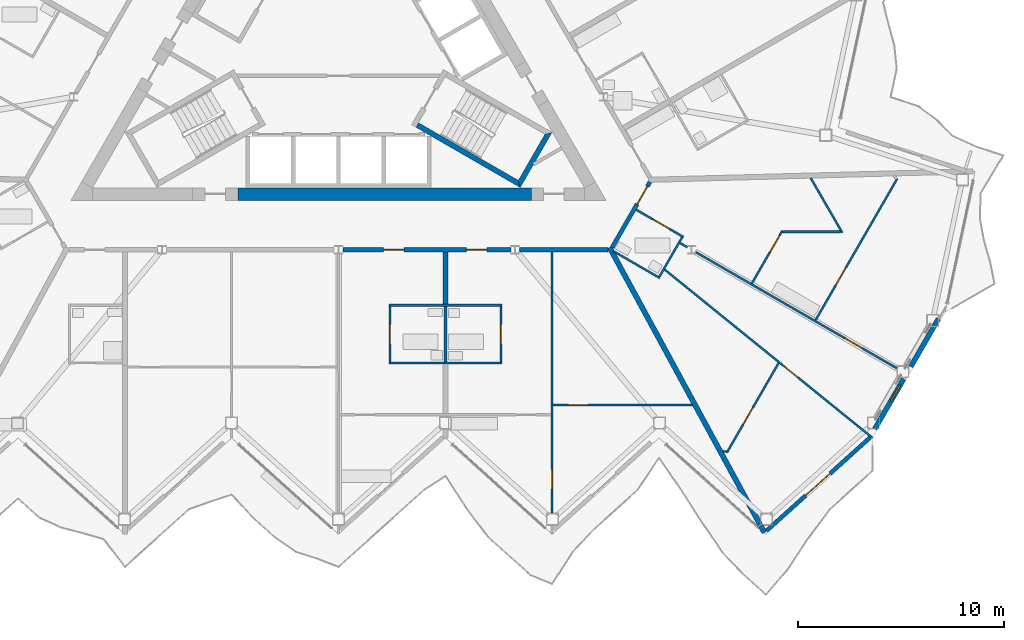
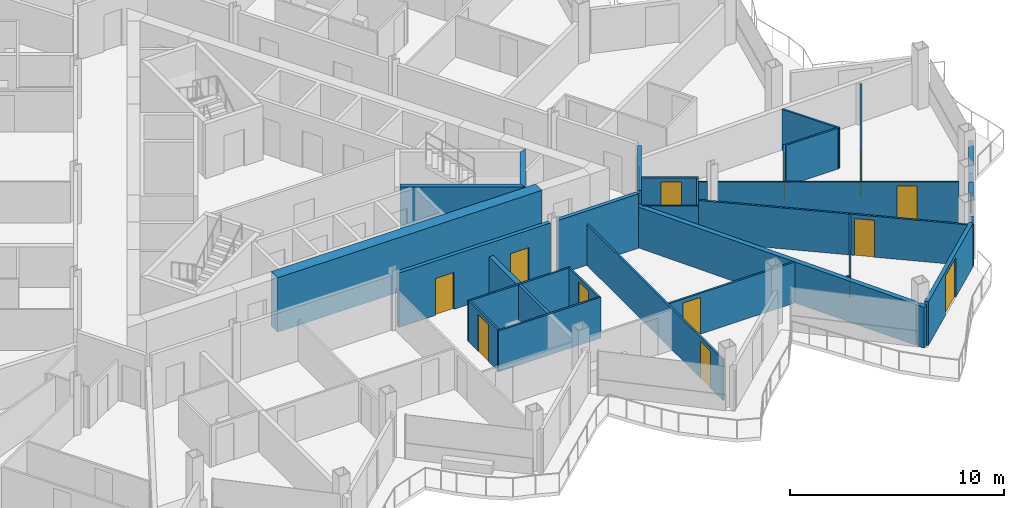
# One storey, part 16 of 28: 31 walls, 14 doors, 1 window, 15 openings.
"""IFC4 building model written with IfcOpenShell, lengths in metres."""

import ifcopenshell
import ifcopenshell.guid

model = None  # the IFC model being written
_history = None  # IfcOwnerHistory: only IFC2X3 demands one
_inside = {}  # id of a spatial element -> (the spatial element, [elements in it])
_under = {}  # id of a project, library or spatial element -> (it, [spatial elements below it])
_declared = {}  # id of a project -> (the project, [libraries it declares])
_typed = {}  # id of a type object -> (the type object, [elements of that type])
_made_of = {}  # id of a material, layer set ... -> (it, [elements and type objects made of it])


def new_model(schema):
    """Start an empty IFC model of exactly this schema.

    Asked for "IFC4X3", IfcOpenShell would pick the latest addendum, in which some entities
    have other attributes; the version numbers below select the first issue.
    IFC2X3 requires an IfcOwnerHistory on every rooted entity: one is made here for all.
    """
    global model, _history
    if schema == "IFC4X3":
        model = ifcopenshell.file(schema_version=(4, 3, 0, 0))
    else:
        model = ifcopenshell.file(schema=schema)
    _inside.clear()
    _under.clear()
    _declared.clear()
    _typed.clear()
    _made_of.clear()
    _history = None
    if model.schema == "IFC2X3":
        org = make("IfcOrganization", Name="unknown")
        user = make(
            "IfcPersonAndOrganization",
            ThePerson=make("IfcPerson", FamilyName="unknown"),
            TheOrganization=org,
        )
        app = make(
            "IfcApplication",
            ApplicationDeveloper=org,
            Version="unknown",
            ApplicationFullName="unknown",
            ApplicationIdentifier="unknown",
        )
        _history = make(
            "IfcOwnerHistory",
            OwningUser=user,
            OwningApplication=app,
            ChangeAction="ADDED",
            CreationDate=0,
        )
    return model


def make(cls, **values):
    """One entity of the class cls with the attributes given. An attribute that is None is left unset."""
    return model.create_entity(
        cls, **{name: value for name, value in values.items() if value is not None}
    )


def rooted(cls, **values):
    """An entity with a GlobalId (a new one), such as an element, a storey or a relation."""
    return make(cls, GlobalId=ifcopenshell.guid.new(), OwnerHistory=_history, **values)


def si_unit(unit_type, name, prefix=None):
    """IfcSIUnit, for example si_unit("LENGTHUNIT", "METRE", prefix="MILLI")."""
    return make("IfcSIUnit", UnitType=unit_type, Prefix=prefix, Name=name)


def assignment(units):
    """IfcUnitAssignment: the units of a project."""
    return None if units is None else make("IfcUnitAssignment", Units=units)


def point(xyz):
    """IfcCartesianPoint."""
    return None if xyz is None else make("IfcCartesianPoint", Coordinates=xyz)


def direction(xyz):
    """IfcDirection."""
    return None if xyz is None else make("IfcDirection", DirectionRatios=xyz)


def frame(location, z_axis=None, x_axis=None):
    """IfcAxis2Placement3D, a coordinate frame: its origin and axes. An axis left out is left unset."""
    return make(
        "IfcAxis2Placement3D",
        Location=point(location),
        Axis=direction(z_axis),
        RefDirection=direction(x_axis),
    )


def frame_2d(location, x_axis=None):
    """IfcAxis2Placement2D, a coordinate frame in the plane: its origin and x axis."""
    return make(
        "IfcAxis2Placement2D", Location=point(location), RefDirection=direction(x_axis)
    )


def origin():
    """The frame at (0, 0, 0) with its axes left unset."""
    return frame((0.0, 0.0, 0.0))


def place(relative_to, where):
    """IfcLocalPlacement: puts the frame where relative to a parent placement (None: the world)."""
    return make(
        "IfcLocalPlacement", PlacementRelTo=relative_to, RelativePlacement=where
    )


def context(
    kind, dimensions, precision=None, world=None, true_north=None, identifier=None
):
    """IfcGeometricRepresentationContext, for example the 3D "Model" context."""
    return make(
        "IfcGeometricRepresentationContext",
        ContextIdentifier=identifier,
        ContextType=kind,
        CoordinateSpaceDimension=dimensions,
        Precision=precision,
        WorldCoordinateSystem=world,
        TrueNorth=true_north,
    )


def subcontext(parent, identifier, kind, view, scale=None):
    """IfcGeometricRepresentationSubContext, for example "Body" below "Model"."""
    return make(
        "IfcGeometricRepresentationSubContext",
        ContextIdentifier=identifier,
        ContextType=kind,
        ParentContext=parent,
        TargetScale=scale,
        TargetView=view,
    )


def project(units=None, contexts=None):
    """IfcProject with its units and contexts."""
    return rooted(
        "IfcProject",
        Name="project",
        RepresentationContexts=contexts,
        UnitsInContext=assignment(units),
    )


def spatial(cls, under=None, at=None, **own):
    """A site, building, storey or space (cls), placed at a placement, below another one or the project."""
    s = rooted(cls, ObjectPlacement=at, **own)
    if under is not None:
        _under.setdefault(under.id(), (under, []))[1].append(s)
    return s


def polyline(points):
    """IfcPolyline through the points."""
    return make("IfcPolyline", Points=[point(p) for p in points])


def profile(cls, at=None, kind="AREA", **sizes):
    """A parametric profile (cls). Its sizes go by their IFC names, for example OverallWidth=200.0."""
    return make(cls, ProfileType=kind, Position=at, **sizes)


def rectangle(**sizes):
    """IfcRectangleProfileDef."""
    return profile("IfcRectangleProfileDef", **sizes)


def outline(outer, holes=None, kind="AREA"):
    """IfcArbitraryClosedProfileDef: a profile drawn as a closed curve; with holes, ...WithVoids."""
    if holes is None:
        return make("IfcArbitraryClosedProfileDef", ProfileType=kind, OuterCurve=outer)
    return make(
        "IfcArbitraryProfileDefWithVoids",
        ProfileType=kind,
        OuterCurve=outer,
        InnerCurves=holes,
    )


def extrude(swept, where, along, depth):
    """IfcExtrudedAreaSolid: the profile swept, set in the frame where, extruded along a direction by depth."""
    return make(
        "IfcExtrudedAreaSolid",
        SweptArea=swept,
        Position=where,
        ExtrudedDirection=direction(along),
        Depth=depth,
    )


def shape(context_of_items, identifier, shape_type, items):
    """IfcShapeRepresentation: the items that make up one representation, for example the "Body"."""
    return make(
        "IfcShapeRepresentation",
        ContextOfItems=context_of_items,
        RepresentationIdentifier=identifier,
        RepresentationType=shape_type,
        Items=items,
    )


def material(Name=None, Category=None):
    """IfcMaterial."""
    return make("IfcMaterial", Name=Name, Category=Category)


def layer(
    of_material, thickness, ventilated=None, Name=None, Category=None, Priority=None
):
    """IfcMaterialLayer: one layer of a wall or slab, of a material (None: an air gap)."""
    return make(
        "IfcMaterialLayer",
        Material=of_material,
        LayerThickness=thickness,
        IsVentilated=ventilated,
        Name=Name,
        Category=Category,
        Priority=Priority,
    )


def layer_set(layers, Name=None):
    """IfcMaterialLayerSet."""
    return make("IfcMaterialLayerSet", MaterialLayers=layers, LayerSetName=Name)


def made_of(thing, what):
    """Note that an element or type object is made of a material, layer set ...; save() writes the relation."""
    if what is not None:
        _made_of.setdefault(what.id(), (what, []))[1].append(thing)
    return thing


def type_object(cls, material=None, **own):
    """A type object (cls), such as IfcWallType, which elements share."""
    return made_of(rooted(cls, **own), material)


def element(
    cls,
    number,
    at=None,
    inside=None,
    cuts=None,
    type_object=None,
    material=None,
    context=None,
    identifier="Body",
    shape_type=None,
    held_by="IfcProductDefinitionShape",
    body=None,
    shapes=None,
    **own,
):
    """One element of the class cls, such as IfcWall. Its Tag is "e" and its number.

    at: its placement. inside: the storey or other place that contains it. cuts: it is an
    opening in that element (IfcRelVoidsElement). A single representation is given by context,
    identifier, shape_type and body (its items); several are given by shapes. held_by: the class
    of the entity that holds the representations. save() writes the other relations.
    """
    e = rooted(cls, Tag="e%d" % number, ObjectPlacement=at, **own)
    if body is not None:
        shapes = [shape(context, identifier, shape_type, body)]
    if shapes is not None:
        e.Representation = make(held_by, Representations=shapes)
    if inside is not None:
        _inside.setdefault(inside.id(), (inside, []))[1].append(e)
    if cuts is not None:
        rooted(
            "IfcRelVoidsElement", RelatingBuildingElement=cuts, RelatedOpeningElement=e
        )
    if type_object is not None:
        _typed.setdefault(type_object.id(), (type_object, []))[1].append(e)
    return made_of(e, material)


def fill(opening, filler):
    """IfcRelFillsElement: the door or window that sits in an opening."""
    return rooted(
        "IfcRelFillsElement",
        RelatingOpeningElement=opening,
        RelatedBuildingElement=filler,
    )


def aggregate(whole, parts):
    """IfcRelAggregates: a whole, such as a stair, and the parts it consists of."""
    return rooted("IfcRelAggregates", RelatingObject=whole, RelatedObjects=parts)


def save(model, path):
    """Write the relations noted so far, then the file.

    IfcRelAggregates (storeys below a building ...), IfcRelContainedInSpatialStructure (elements
    in a storey), IfcRelDefinesByType, IfcRelAssociatesMaterial and IfcRelDeclares: one each for
    every whole, place, type object, material and project.
    """
    for whole, parts in _under.values():
        aggregate(whole, parts)
    for where, things in _inside.values():
        rooted(
            "IfcRelContainedInSpatialStructure",
            RelatedElements=things,
            RelatingStructure=where,
        )
    for kind, things in _typed.values():
        rooted("IfcRelDefinesByType", RelatedObjects=things, RelatingType=kind)
    for what, things in _made_of.values():
        rooted("IfcRelAssociatesMaterial", RelatedObjects=things, RelatingMaterial=what)
    for by, libraries in _declared.values():
        rooted("IfcRelDeclares", RelatingContext=by, RelatedDefinitions=libraries)
    model.write(path)


model = new_model("IFC4")

# Units and contexts
model_context = context("Model", 3, precision=1e-05, world=origin(), true_north=direction((0.0, 1.0)))
body_context = subcontext(model_context, "Body", "Model", "MODEL_VIEW")
ifc_project = project(units=[si_unit("LENGTHUNIT", "METRE"), si_unit("AREAUNIT", "SQUARE_METRE"), si_unit("VOLUMEUNIT", "CUBIC_METRE"), si_unit("PLANEANGLEUNIT", "RADIAN"), si_unit("MASSUNIT", "GRAM", prefix="KILO")], contexts=[model_context])

# Site, building, storey
site_placement = place(None, origin())
site = spatial("IfcSite", under=ifc_project, at=site_placement, CompositionType="ELEMENT")
building_placement = place(site_placement, origin())
building = spatial("IfcBuilding", under=site, at=building_placement, Name="Cormorant Prow Tower", CompositionType="ELEMENT")
storey_placement = place(building_placement, frame((0.0, 0.0, 305.199951171875)))
storey = spatial("IfcBuildingStorey", under=building, at=storey_placement, Name="L66", CompositionType="ELEMENT", Elevation=305.199951171875)

# Wall
ifc_material_1 = material(Name="Concrete 8000 psi", Category="concrete")
ifc_layer_1 = layer(ifc_material_1, 0.60009765625)
ifc_layer_set_1 = layer_set([ifc_layer_1], Name="Concrete 8000 psi")
wall_type_1 = type_object("IfcWallType", Name="Core shear wall 600", PredefinedType="SHEAR", material=ifc_layer_set_1)
wall_1_placement = place(storey_placement, frame((-4.89208984375, -7.20556640625, 0.0), z_axis=(0.0, 0.0, 1.0), x_axis=(1.0, 0.0, 0.0)))
element("IfcWall", 1, at=wall_1_placement, inside=storey, type_object=wall_type_1, Name="Core wall", PredefinedType="SHEAR", context=body_context, shape_type="SweptSolid", body=[
    extrude(rectangle(XDim=14.2607421875, YDim=0.60009765625, at=frame_2d((7.13037109375, 0.0))), origin(), (0.0, 0.0, 1.0), 3.10009765625),
])

# Wall, openings, doors
ifc_material_2 = material(Name="Gypsum board corridor wall")
ifc_layer_2 = layer(ifc_material_2, 0.199951171875)
ifc_layer_set_2 = layer_set([ifc_layer_2], Name="Gypsum board corridor wall")
wall_type_2 = type_object("IfcWallType", Name="Corridor wall 200", PredefinedType="PARTITIONING", material=ifc_layer_set_2)
wall_2_placement = place(storey_placement, frame((0.207763671875, -9.905517578125, 0.0), z_axis=(0.0, 0.0, 1.0), x_axis=(1.0, 0.0, 0.0)))
wall_2 = element("IfcWall", 2, at=wall_2_placement, inside=storey, type_object=wall_type_2, Name="Corridor wall", PredefinedType="PARTITIONING", context=body_context, shape_type="SweptSolid", body=[
    extrude(rectangle(XDim=8.1630859375, YDim=0.199951171875, at=frame_2d((4.08154296875, 0.0))), origin(), (0.0, 0.0, 1.0), 3.10009765625),
])
opening_1_placement = place(wall_2_placement, frame((1.96630859375, 0.0, 0.0)))
opening_1 = element("IfcOpeningElement", 3, at=opening_1_placement, cuts=wall_2, Name="Opening L66-F03", PredefinedType="OPENING", context=body_context, shape_type="SweptSolid", body=[
    extrude(rectangle(XDim=1.0, YDim=2.10009765625, at=frame_2d((0.5, 1.050048828125))), frame((0.0, 0.10986328125, 0.0), z_axis=(0.0, -1.0, 0.0), x_axis=(1.0, 0.0, 0.0)), (0.0, 0.0, 1.0), 0.219970703125),
])
opening_2_placement = place(wall_2_placement, frame((6.00439453125, 0.0, 0.0)))
opening_2 = element("IfcOpeningElement", 4, at=opening_2_placement, cuts=wall_2, Name="Opening L66-F10", PredefinedType="OPENING", context=body_context, shape_type="SweptSolid", body=[
    extrude(rectangle(XDim=1.0, YDim=2.10009765625, at=frame_2d((0.5, 1.050048828125))), frame((0.0, 0.10986328125, 0.0), z_axis=(0.0, -1.0, 0.0), x_axis=(1.0, 0.0, 0.0)), (0.0, 0.0, 1.0), 0.219970703125),
])
ifc_material_3 = material(Name="Timber door leaf", Category="wood")
door_type_1 = type_object("IfcDoorType", Name="Flat or room entrance door 1000x2100", OperationType="NOTDEFINED", PredefinedType="DOOR", material=ifc_material_3)
door_1_placement = place(opening_1_placement, origin())
door_1 = element("IfcDoor", 5, at=door_1_placement, inside=storey, type_object=door_type_1, Name="Living room door", OperationType="SINGLE_SWING_RIGHT", OverallHeight=2.10009765625, OverallWidth=1.0, PredefinedType="DOOR", context=body_context, shape_type="SweptSolid", body=[
    extrude(rectangle(XDim=1.0, YDim=2.10009765625, at=frame_2d((0.5, 1.050048828125))), frame((0.0, 0.02490234375, 0.0), z_axis=(0.0, -1.0, 0.0), x_axis=(1.0, 0.0, 0.0)), (0.0, 0.0, 1.0), 0.050048828125),
])
fill(opening_1, door_1)
door_2_placement = place(opening_2_placement, origin())
door_2 = element("IfcDoor", 6, at=door_2_placement, inside=storey, type_object=door_type_1, Name="Living room door", OperationType="SINGLE_SWING_LEFT", OverallHeight=2.10009765625, OverallWidth=1.0, PredefinedType="DOOR", context=body_context, shape_type="SweptSolid", body=[
    extrude(rectangle(XDim=1.0, YDim=2.10009765625, at=frame_2d((0.5, 1.050048828125))), frame((0.0, 0.02490234375, 0.0), z_axis=(0.0, -1.0, 0.0), x_axis=(1.0, 0.0, 0.0)), (0.0, 0.0, 1.0), 0.050048828125),
])
fill(opening_2, door_2)

# Wall
wall_3_placement = place(storey_placement, frame((8.7861328125, -9.905517578125, 0.0), z_axis=(0.0, 0.0, 1.0), x_axis=(1.0, 0.0, 0.0)))
element("IfcWall", 7, at=wall_3_placement, inside=storey, type_object=wall_type_2, Name="Corridor wall", PredefinedType="PARTITIONING", context=body_context, shape_type="SweptSolid", body=[
    extrude(rectangle(XDim=4.31982421875, YDim=0.199951171875, at=frame_2d((2.159912109375, 0.0))), origin(), (0.0, 0.0, 1.0), 3.10009765625),
])

# Wall, opening, door
wall_4_placement = place(storey_placement, frame((13.29345703125, -9.79736328125, 0.0), z_axis=(0.0, 0.0, 1.0), x_axis=(0.499967746641, 0.866044024469, 0.0)))
wall_4 = element("IfcWall", 8, at=wall_4_placement, inside=storey, type_object=wall_type_2, Name="Corridor wall", PredefinedType="PARTITIONING", context=body_context, shape_type="SweptSolid", body=[
    extrude(rectangle(XDim=3.676025390625, YDim=0.199951171875, at=frame_2d((1.837890625, 0.0))), origin(), (0.0, 0.0, 1.0), 3.10009765625),
])
opening_3_placement = place(wall_4_placement, frame((2.426025390625, 0.0, 0.0)))
opening_3 = element("IfcOpeningElement", 9, at=opening_3_placement, cuts=wall_4, Name="Opening L66-F15", PredefinedType="OPENING", context=body_context, shape_type="SweptSolid", body=[
    extrude(rectangle(XDim=1.0, YDim=2.10009765625, at=frame_2d((0.5, 1.050048828125))), frame((0.0, 0.10986328125, 0.0), z_axis=(0.0, -1.0, 0.0), x_axis=(1.0, 0.0, 0.0)), (0.0, 0.0, 1.0), 0.219970703125),
])
door_3_placement = place(opening_3_placement, origin())
door_3 = element("IfcDoor", 10, at=door_3_placement, inside=storey, type_object=door_type_1, Name="Living room door", OperationType="SINGLE_SWING_RIGHT", OverallHeight=2.10009765625, OverallWidth=1.0, PredefinedType="DOOR", context=body_context, shape_type="SweptSolid", body=[
    extrude(rectangle(XDim=1.0, YDim=2.10009765625, at=frame_2d((0.5, 1.050048828125))), frame((0.0, 0.02490234375, 0.0), z_axis=(0.0, -1.0, 0.0), x_axis=(1.0, 0.0, 0.0)), (0.0, 0.0, 1.0), 0.050048828125),
])
fill(opening_3, door_3)

ifc_material_4 = material(Name="Gypsum board partition")
ifc_layer_3 = layer(ifc_material_4, 0.10009765625)
ifc_layer_set_3 = layer_set([ifc_layer_3], Name="Gypsum board partition")
wall_type_3 = type_object("IfcWallType", Name="Internal partition 100", PredefinedType="PARTITIONING", material=ifc_layer_set_3)
wall_5_placement = place(storey_placement, frame((15.848388671875, -10.870849609375, 0.0), z_axis=(0.0, 0.0, 1.0), x_axis=(0.77713687197, -0.629331615465, 0.0)))
wall_5 = element("IfcWall", 11, at=wall_5_placement, inside=storey, type_object=wall_type_3, Name="Internal partition", PredefinedType="PARTITIONING", context=body_context, shape_type="SweptSolid", body=[
    extrude(rectangle(XDim=13.00439453125, YDim=0.10009765625, at=frame_2d((6.502197265625, 0.0))), origin(), (0.0, 0.0, 1.0), 2.330078125),
])
opening_4_placement = place(wall_5_placement, frame((7.383544921875, 0.0, 0.0)))
opening_4 = element("IfcOpeningElement", 12, at=opening_4_placement, cuts=wall_5, Name="Opening L66-F20", PredefinedType="OPENING", context=body_context, shape_type="SweptSolid", body=[
    extrude(rectangle(XDim=0.949951171875, YDim=2.10009765625, at=frame_2d((0.47509765625, 1.050048828125))), frame((0.0, 0.06005859375, 0.0), z_axis=(0.0, -1.0, 0.0), x_axis=(1.0, 0.0, 0.0)), (0.0, 0.0, 1.0), 0.1201171875),
])
ifc_material_5 = material(Name="Timber door leaf", Category="wood")
door_type_2 = type_object("IfcDoorType", Name="Bathroom door 950x2100", OperationType="NOTDEFINED", PredefinedType="DOOR", material=ifc_material_5)
door_4_placement = place(opening_4_placement, origin())
door_4 = element("IfcDoor", 13, at=door_4_placement, inside=storey, type_object=door_type_2, Name="Bedroom door", OperationType="SINGLE_SWING_LEFT", OverallHeight=2.10009765625, OverallWidth=0.949951171875, PredefinedType="DOOR", context=body_context, shape_type="SweptSolid", body=[
    extrude(rectangle(XDim=0.949951171875, YDim=2.10009765625, at=frame_2d((0.47509765625, 1.050048828125))), frame((0.0, 0.02490234375, 0.0), z_axis=(0.0, -1.0, 0.0), x_axis=(1.0, 0.0, 0.0)), (0.0, 0.0, 1.0), 0.050048828125),
])
fill(opening_4, door_4)

wall_6_placement = place(storey_placement, frame((10.3818359375, -22.697998046875, 0.0), z_axis=(0.0, 0.0, 1.0), x_axis=(0.0, 1.0, 0.0)))
wall_6 = element("IfcWall", 14, at=wall_6_placement, inside=storey, type_object=wall_type_3, Name="Internal partition", PredefinedType="PARTITIONING", context=body_context, shape_type="SweptSolid", body=[
    extrude(rectangle(XDim=12.6923828125, YDim=0.10009765625, at=frame_2d((6.34619140625, 0.0))), origin(), (0.0, 0.0, 1.0), 2.330078125),
])
opening_5_placement = place(wall_6_placement, frame((1.1533203125, 0.0, 0.0)))
opening_5 = element("IfcOpeningElement", 15, at=opening_5_placement, cuts=wall_6, Name="Opening L66-F13", PredefinedType="OPENING", context=body_context, shape_type="SweptSolid", body=[
    extrude(rectangle(XDim=0.949951171875, YDim=2.10009765625, at=frame_2d((0.47509765625, 1.050048828125))), frame((0.0, 0.06005859375, 0.0), z_axis=(0.0, -1.0, 0.0), x_axis=(1.0, 0.0, 0.0)), (0.0, 0.0, 1.0), 0.1201171875),
])
door_5_placement = place(opening_5_placement, origin())
door_5 = element("IfcDoor", 16, at=door_5_placement, inside=storey, type_object=door_type_2, Name="Kitchen door", OperationType="SINGLE_SWING_RIGHT", OverallHeight=2.10009765625, OverallWidth=0.949951171875, PredefinedType="DOOR", context=body_context, shape_type="SweptSolid", body=[
    extrude(rectangle(XDim=0.949951171875, YDim=2.10009765625, at=frame_2d((0.47509765625, 1.050048828125))), frame((0.0, 0.02490234375, 0.0), z_axis=(0.0, -1.0, 0.0), x_axis=(1.0, 0.0, 0.0)), (0.0, 0.0, 1.0), 0.050048828125),
])
fill(opening_5, door_5)

wall_7_placement = place(storey_placement, frame((17.364501953125, -10.025390625, 0.0), z_axis=(0.0, 0.0, 1.0), x_axis=(0.866021046153, -0.500007547564, 0.0)))
wall_7 = element("IfcWall", 17, at=wall_7_placement, inside=storey, type_object=wall_type_3, Name="Internal partition", PredefinedType="PARTITIONING", context=body_context, shape_type="SweptSolid", body=[
    extrude(rectangle(XDim=11.267333984375, YDim=0.10009765625, at=frame_2d((5.6337890625, 0.0))), origin(), (0.0, 0.0, 1.0), 2.330078125),
])
opening_6_placement = place(wall_7_placement, frame((8.3642578125, 0.0, 0.0)))
opening_6 = element("IfcOpeningElement", 18, at=opening_6_placement, cuts=wall_7, Name="Opening L66-F19", PredefinedType="OPENING", context=body_context, shape_type="SweptSolid", body=[
    extrude(rectangle(XDim=0.949951171875, YDim=2.10009765625, at=frame_2d((0.47509765625, 1.050048828125))), frame((0.0, 0.06005859375, 0.0), z_axis=(0.0, -1.0, 0.0), x_axis=(1.0, 0.0, 0.0)), (0.0, 0.0, 1.0), 0.1201171875),
])
door_6_placement = place(opening_6_placement, origin())
door_6 = element("IfcDoor", 19, at=door_6_placement, inside=storey, type_object=door_type_2, Name="Dining room door", OperationType="SINGLE_SWING_RIGHT", OverallHeight=2.10009765625, OverallWidth=0.949951171875, PredefinedType="DOOR", context=body_context, shape_type="SweptSolid", body=[
    extrude(rectangle(XDim=0.949951171875, YDim=2.10009765625, at=frame_2d((0.47509765625, 1.050048828125))), frame((0.0, 0.02490234375, 0.0), z_axis=(0.0, -1.0, 0.0), x_axis=(1.0, 0.0, 0.0)), (0.0, 0.0, 1.0), 0.050048828125),
])
fill(opening_6, door_6)

wall_8_placement = place(storey_placement, frame((23.182861328125, -13.326904296875, 0.0), z_axis=(0.0, 0.0, 1.0), x_axis=(0.499991741039, 0.866030172045, 0.0)))
wall_8 = element("IfcWall", 20, at=wall_8_placement, inside=storey, type_object=wall_type_3, Name="Internal partition", PredefinedType="PARTITIONING", context=body_context, shape_type="SweptSolid", body=[
    extrude(rectangle(XDim=7.926513671875, YDim=0.10009765625, at=frame_2d((3.96337890625, 0.0))), origin(), (0.0, 0.0, 1.0), 2.330078125),
])
opening_7_placement = place(wall_8_placement, frame((1.970458984375, 0.0, 0.0)))
opening_7 = element("IfcOpeningElement", 21, at=opening_7_placement, cuts=wall_8, Name="Opening L66-F18", PredefinedType="OPENING", context=body_context, shape_type="SweptSolid", body=[
    extrude(rectangle(XDim=0.949951171875, YDim=2.10009765625, at=frame_2d((0.47509765625, 1.050048828125))), frame((0.0, 0.06005859375, 0.0), z_axis=(0.0, -1.0, 0.0), x_axis=(1.0, 0.0, 0.0)), (0.0, 0.0, 1.0), 0.1201171875),
])
door_7_placement = place(opening_7_placement, origin())
door_7 = element("IfcDoor", 22, at=door_7_placement, inside=storey, type_object=door_type_2, Name="Kitchen door", OperationType="SINGLE_SWING_RIGHT", OverallHeight=2.10009765625, OverallWidth=0.949951171875, PredefinedType="DOOR", context=body_context, shape_type="SweptSolid", body=[
    extrude(rectangle(XDim=0.949951171875, YDim=2.10009765625, at=frame_2d((0.47509765625, 1.050048828125))), frame((0.0, 0.02490234375, 0.0), z_axis=(0.0, -1.0, 0.0), x_axis=(1.0, 0.0, 0.0)), (0.0, 0.0, 1.0), 0.050048828125),
])
fill(opening_7, door_7)

wall_9_placement = place(storey_placement, frame((10.431884765625, -17.45751953125, 0.0), z_axis=(0.0, 0.0, 1.0), x_axis=(1.0, 0.0, 0.0)))
wall_9 = element("IfcWall", 23, at=wall_9_placement, inside=storey, type_object=wall_type_3, Name="Internal partition", PredefinedType="PARTITIONING", context=body_context, shape_type="SweptSolid", body=[
    extrude(rectangle(XDim=6.774658203125, YDim=0.10009765625, at=frame_2d((3.38720703125, 0.0))), origin(), (0.0, 0.0, 1.0), 2.330078125),
])
opening_8_placement = place(wall_9_placement, frame((0.752197265625, 0.0, 0.0)))
opening_8 = element("IfcOpeningElement", 24, at=opening_8_placement, cuts=wall_9, Name="Opening L66-F14", PredefinedType="OPENING", context=body_context, shape_type="SweptSolid", body=[
    extrude(rectangle(XDim=0.949951171875, YDim=2.10009765625, at=frame_2d((0.47509765625, 1.050048828125))), frame((0.0, 0.06005859375, 0.0), z_axis=(0.0, -1.0, 0.0), x_axis=(1.0, 0.0, 0.0)), (0.0, 0.0, 1.0), 0.1201171875),
])
door_8_placement = place(opening_8_placement, origin())
door_8 = element("IfcDoor", 25, at=door_8_placement, inside=storey, type_object=door_type_2, Name="Bedroom door", OperationType="SINGLE_SWING_LEFT", OverallHeight=2.10009765625, OverallWidth=0.949951171875, PredefinedType="DOOR", context=body_context, shape_type="SweptSolid", body=[
    extrude(rectangle(XDim=0.949951171875, YDim=2.10009765625, at=frame_2d((0.47509765625, 1.050048828125))), frame((0.0, 0.02490234375, 0.0), z_axis=(0.0, -1.0, 0.0), x_axis=(1.0, 0.0, 0.0)), (0.0, 0.0, 1.0), 0.050048828125),
])
fill(opening_8, door_8)

# Walls
for number, where, z_axis, x_axis, name in (
    (26, (2.44091796875, -12.605712890625, 0.0), (0.0, 0.0, 1.0), (1.0, 0.0, 0.0), "Internal partition"),
    (27, (2.44091796875, -15.405517578125, 0.0), (0.0, 0.0, 1.0), (1.0, 0.0, 0.0), "Internal partition"),
):
    element("IfcWall", number, at=place(storey_placement, frame(where, z_axis=z_axis, x_axis=x_axis)), inside=storey, type_object=wall_type_3, Name=name, PredefinedType="PARTITIONING", context=body_context, shape_type="SweptSolid", body=[
        extrude(rectangle(XDim=5.5, YDim=0.10009765625, at=frame_2d((2.75, 0.0))), origin(), (0.0, 0.0, 1.0), 2.330078125),
    ])

# Wall, opening, door
wall_10_placement = place(storey_placement, frame((18.872802734375, -19.763916015625, 0.0), z_axis=(0.0, 0.0, 1.0), x_axis=(0.499983455602, 0.866034955486, 0.0)))
wall_10 = element("IfcWall", 28, at=wall_10_placement, inside=storey, type_object=wall_type_3, Name="Internal partition", PredefinedType="PARTITIONING", context=body_context, shape_type="SweptSolid", body=[
    extrude(rectangle(XDim=5.020263671875, YDim=0.10009765625, at=frame_2d((2.51025390625, 0.0))), origin(), (0.0, 0.0, 1.0), 2.330078125),
])
opening_9_placement = place(wall_10_placement, frame((1.576171875, 0.0, 0.0)))
opening_9 = element("IfcOpeningElement", 29, at=opening_9_placement, cuts=wall_10, Name="Opening L66-F21", PredefinedType="OPENING", context=body_context, shape_type="SweptSolid", body=[
    extrude(rectangle(XDim=0.949951171875, YDim=2.10009765625, at=frame_2d((0.47509765625, 1.050048828125))), frame((0.0, 0.06005859375, 0.0), z_axis=(0.0, -1.0, 0.0), x_axis=(1.0, 0.0, 0.0)), (0.0, 0.0, 1.0), 0.1201171875),
])
door_9_placement = place(opening_9_placement, origin())
door_9 = element("IfcDoor", 30, at=door_9_placement, inside=storey, type_object=door_type_2, Name="Bedroom door", OperationType="SINGLE_SWING_LEFT", OverallHeight=2.10009765625, OverallWidth=0.949951171875, PredefinedType="DOOR", context=body_context, shape_type="SweptSolid", body=[
    extrude(rectangle(XDim=0.949951171875, YDim=2.10009765625, at=frame_2d((0.47509765625, 1.050048828125))), frame((0.0, 0.02490234375, 0.0), z_axis=(0.0, -1.0, 0.0), x_axis=(1.0, 0.0, 0.0)), (0.0, 0.0, 1.0), 0.050048828125),
])
fill(opening_9, door_9)

# Wall
wall_11_placement = place(storey_placement, frame((22.940673828125, -6.41259765625, 0.0), z_axis=(0.0, 0.0, 1.0), x_axis=(0.500013199183, -0.866017783098, 0.0)))
element("IfcWall", 31, at=wall_11_placement, inside=storey, type_object=wall_type_3, Name="Internal partition", PredefinedType="PARTITIONING", context=body_context, shape_type="SweptSolid", body=[
    extrude(rectangle(XDim=3.0771484375, YDim=0.10009765625, at=frame_2d((1.53857421875, 0.0))), origin(), (0.0, 0.0, 1.0), 2.330078125),
])

# Wall, opening, door
wall_12_placement = place(storey_placement, frame((20.087646484375, -11.539794921875, 0.0), z_axis=(0.0, 0.0, 1.0), x_axis=(0.500055103712, 0.865993587304, 0.0)))
wall_12 = element("IfcWall", 32, at=wall_12_placement, inside=storey, type_object=wall_type_3, Name="Internal partition", PredefinedType="PARTITIONING", context=body_context, shape_type="SweptSolid", body=[
    extrude(rectangle(XDim=2.943603515625, YDim=0.10009765625, at=frame_2d((1.4716796875, 0.0))), origin(), (0.0, 0.0, 1.0), 2.330078125),
])
opening_10_placement = place(wall_12_placement, frame((1.74365234375, 0.0, 0.0)))
opening_10 = element("IfcOpeningElement", 33, at=opening_10_placement, cuts=wall_12, Name="Opening L66-F17", PredefinedType="OPENING", context=body_context, shape_type="SweptSolid", body=[
    extrude(rectangle(XDim=0.949951171875, YDim=2.10009765625, at=frame_2d((0.47509765625, 1.050048828125))), frame((0.0, 0.06005859375, 0.0), z_axis=(0.0, -1.0, 0.0), x_axis=(1.0, 0.0, 0.0)), (0.0, 0.0, 1.0), 0.1201171875),
])
door_10_placement = place(opening_10_placement, origin())
door_10 = element("IfcDoor", 34, at=door_10_placement, inside=storey, type_object=door_type_2, Name="Living room door", OperationType="SINGLE_SWING_RIGHT", OverallHeight=2.10009765625, OverallWidth=0.949951171875, PredefinedType="DOOR", context=body_context, shape_type="SweptSolid", body=[
    extrude(rectangle(XDim=0.949951171875, YDim=2.10009765625, at=frame_2d((0.47509765625, 1.050048828125))), frame((0.0, 0.02490234375, 0.0), z_axis=(0.0, -1.0, 0.0), x_axis=(1.0, 0.0, 0.0)), (0.0, 0.0, 1.0), 0.050048828125),
])
fill(opening_10, door_10)

# Wall
wall_13_placement = place(storey_placement, frame((21.58447265625, -9.033935546875, 0.0), z_axis=(0.0, 0.0, 1.0), x_axis=(1.0, 0.0, 0.0)))
element("IfcWall", 35, at=wall_13_placement, inside=storey, type_object=wall_type_3, Name="Internal partition", PredefinedType="PARTITIONING", context=body_context, shape_type="SweptSolid", body=[
    extrude(rectangle(XDim=2.81982421875, YDim=0.10009765625, at=frame_2d((1.409912109375, 0.0))), origin(), (0.0, 0.0, 1.0), 2.330078125),
])

# Wall, opening, door
wall_14_placement = place(storey_placement, frame((2.490966796875, -15.355712890625, 0.0), z_axis=(0.0, 0.0, 1.0), x_axis=(0.0, 1.0, 0.0)))
wall_14 = element("IfcWall", 36, at=wall_14_placement, inside=storey, type_object=wall_type_3, Name="Internal partition", PredefinedType="PARTITIONING", context=body_context, shape_type="SweptSolid", body=[
    extrude(rectangle(XDim=2.7001953125, YDim=0.10009765625, at=frame_2d((1.35009765625, 0.0))), origin(), (0.0, 0.0, 1.0), 2.330078125),
])
opening_11_placement = place(wall_14_placement, frame((0.875, 0.0, 0.0)))
opening_11 = element("IfcOpeningElement", 37, at=opening_11_placement, cuts=wall_14, Name="Opening L66-F04", PredefinedType="OPENING", context=body_context, shape_type="SweptSolid", body=[
    extrude(rectangle(XDim=0.949951171875, YDim=2.10009765625, at=frame_2d((0.47509765625, 1.050048828125))), frame((0.0, 0.06005859375, 0.0), z_axis=(0.0, -1.0, 0.0), x_axis=(1.0, 0.0, 0.0)), (0.0, 0.0, 1.0), 0.1201171875),
])
door_11_placement = place(opening_11_placement, origin())
door_11 = element("IfcDoor", 38, at=door_11_placement, inside=storey, type_object=door_type_2, Name="Living room door", OperationType="SINGLE_SWING_LEFT", OverallHeight=2.10009765625, OverallWidth=0.949951171875, PredefinedType="DOOR", context=body_context, shape_type="SweptSolid", body=[
    extrude(rectangle(XDim=0.949951171875, YDim=2.10009765625, at=frame_2d((0.47509765625, 1.050048828125))), frame((0.0, 0.02490234375, 0.0), z_axis=(0.0, -1.0, 0.0), x_axis=(1.0, 0.0, 0.0)), (0.0, 0.0, 1.0), 0.050048828125),
])
fill(opening_11, door_11)

wall_15_placement = place(storey_placement, frame((7.890869140625, -15.355712890625, 0.0), z_axis=(0.0, 0.0, 1.0), x_axis=(0.0, 1.0, 0.0)))
wall_15 = element("IfcWall", 39, at=wall_15_placement, inside=storey, type_object=wall_type_3, Name="Internal partition", PredefinedType="PARTITIONING", context=body_context, shape_type="SweptSolid", body=[
    extrude(rectangle(XDim=2.7001953125, YDim=0.10009765625, at=frame_2d((1.35009765625, 0.0))), origin(), (0.0, 0.0, 1.0), 2.330078125),
])
opening_12_placement = place(wall_15_placement, frame((0.875, 0.0, 0.0)))
opening_12 = element("IfcOpeningElement", 40, at=opening_12_placement, cuts=wall_15, Name="Opening L66-F11", PredefinedType="OPENING", context=body_context, shape_type="SweptSolid", body=[
    extrude(rectangle(XDim=0.949951171875, YDim=2.10009765625, at=frame_2d((0.47509765625, 1.050048828125))), frame((0.0, 0.06005859375, 0.0), z_axis=(0.0, -1.0, 0.0), x_axis=(1.0, 0.0, 0.0)), (0.0, 0.0, 1.0), 0.1201171875),
])
door_12_placement = place(opening_12_placement, origin())
door_12 = element("IfcDoor", 41, at=door_12_placement, inside=storey, type_object=door_type_2, Name="Living room door", OperationType="SINGLE_SWING_RIGHT", OverallHeight=2.10009765625, OverallWidth=0.949951171875, PredefinedType="DOOR", context=body_context, shape_type="SweptSolid", body=[
    extrude(rectangle(XDim=0.949951171875, YDim=2.10009765625, at=frame_2d((0.47509765625, 1.050048828125))), frame((0.0, 0.02490234375, 0.0), z_axis=(0.0, -1.0, 0.0), x_axis=(1.0, 0.0, 0.0)), (0.0, 0.0, 1.0), 0.050048828125),
])
fill(opening_12, door_12)

wall_16_placement = place(storey_placement, frame((14.467529296875, -7.963623046875, 0.0), z_axis=(0.0, 0.0, 1.0), x_axis=(0.865989200783, -0.500062700197, 0.0)))
wall_16 = element("IfcWall", 42, at=wall_16_placement, inside=storey, type_object=wall_type_3, Name="Internal partition", PredefinedType="PARTITIONING", context=body_context, shape_type="SweptSolid", body=[
    extrude(rectangle(XDim=2.650146484375, YDim=0.10009765625, at=frame_2d((1.3251953125, 0.0))), origin(), (0.0, 0.0, 1.0), 2.330078125),
])
opening_13_placement = place(wall_16_placement, frame((0.904541015625, 0.0, 0.0)))
opening_13 = element("IfcOpeningElement", 43, at=opening_13_placement, cuts=wall_16, Name="Opening L66-F16", PredefinedType="OPENING", context=body_context, shape_type="SweptSolid", body=[
    extrude(rectangle(XDim=0.949951171875, YDim=2.10009765625, at=frame_2d((0.47509765625, 1.050048828125))), frame((0.0, 0.06005859375, 0.0), z_axis=(0.0, -1.0, 0.0), x_axis=(1.0, 0.0, 0.0)), (0.0, 0.0, 1.0), 0.1201171875),
])
door_13_placement = place(opening_13_placement, origin())
door_13 = element("IfcDoor", 44, at=door_13_placement, inside=storey, type_object=door_type_2, Name="Living room door", OperationType="SINGLE_SWING_RIGHT", OverallHeight=2.10009765625, OverallWidth=0.949951171875, PredefinedType="DOOR", context=body_context, shape_type="SweptSolid", body=[
    extrude(rectangle(XDim=0.949951171875, YDim=2.10009765625, at=frame_2d((0.47509765625, 1.050048828125))), frame((0.0, 0.02490234375, 0.0), z_axis=(0.0, -1.0, 0.0), x_axis=(1.0, 0.0, 0.0)), (0.0, 0.0, 1.0), 0.050048828125),
])
fill(opening_13, door_13)

# Walls
wall_17_placement = place(storey_placement, frame((13.339111328125, -9.968017578125, 0.0), z_axis=(0.0, 0.0, 1.0), x_axis=(0.866036909293, -0.499980071345, 0.0)))
element("IfcWall", 45, at=wall_17_placement, inside=storey, type_object=wall_type_3, Name="Internal partition", PredefinedType="PARTITIONING", context=body_context, shape_type="SweptSolid", body=[
    extrude(rectangle(XDim=2.625, YDim=0.10009765625, at=frame_2d((1.3125, 0.0))), origin(), (0.0, 0.0, 1.0), 2.330078125),
])
wall_18_placement = place(storey_placement, frame((15.59423828125, -11.21240234375, 0.0), z_axis=(0.0, 0.0, 1.0), x_axis=(0.499898558967, 0.866083962871, 0.0)))
element("IfcWall", 46, at=wall_18_placement, inside=storey, type_object=wall_type_3, Name="Internal partition", PredefinedType="PARTITIONING", context=body_context, shape_type="SweptSolid", body=[
    extrude(rectangle(XDim=2.2001953125, YDim=0.10009765625, at=frame_2d((1.10009765625, 0.0))), origin(), (0.0, 0.0, 1.0), 2.330078125),
])
wall_19_placement = place(storey_placement, frame((16.593994140625, -9.58056640625, 0.0), z_axis=(0.0, 0.0, 1.0), x_axis=(0.866036909293, -0.499980071345, 0.0)))
element("IfcWall", 47, at=wall_19_placement, inside=storey, type_object=wall_type_3, Name="Internal partition", PredefinedType="PARTITIONING", context=body_context, shape_type="SweptSolid", body=[
    extrude(rectangle(XDim=0.41015625, YDim=0.10009765625, at=frame_2d((0.205078125, 0.0))), origin(), (0.0, 0.0, 1.0), 2.330078125),
])
wall_20_placement = place(storey_placement, frame((18.685302734375, -19.720703125, 0.0), z_axis=(0.0, 0.0, 1.0), x_axis=(1.0, 0.0, 0.0)))
element("IfcWall", 48, at=wall_20_placement, inside=storey, type_object=wall_type_3, Name="Internal partition", PredefinedType="PARTITIONING", context=body_context, shape_type="SweptSolid", body=[
    extrude(rectangle(XDim=0.162353515625, YDim=0.10009765625, at=frame_2d((0.0810546875, 0.0))), origin(), (0.0, 0.0, 1.0), 2.330078125),
])
ifc_material_6 = material(Name="Concrete 8000 psi", Category="concrete")
ifc_layer_4 = layer(ifc_material_6, 0.25)
ifc_layer_set_4 = layer_set([ifc_layer_4], Name="Concrete 8000 psi")
wall_type_4 = type_object("IfcWallType", Name="Stair wall 250", PredefinedType="SHEAR", material=ifc_layer_set_4)
wall_21_placement = place(storey_placement, origin())
element("IfcWall", 49, at=wall_21_placement, inside=storey, type_object=wall_type_4, Name="Stair ST2 enclosure wall (flank)", PredefinedType="SHEAR", context=body_context, shape_type="SweptSolid", body=[
    extrude(outline(polyline([(3.76318359375, -3.95556640625), (8.82958984375, -6.880615234375), (8.738037109375, -6.5390625), (3.88818359375, -3.739013671875), (3.76318359375, -3.95556640625)])), origin(), (0.0, 0.0, 1.0), 3.10009765625),
])
wall_22_placement = place(storey_placement, origin())
element("IfcWall", 50, at=wall_22_placement, inside=storey, type_object=wall_type_4, Name="Stair ST2 enclosure wall (end)", PredefinedType="SHEAR", context=body_context, shape_type="SweptSolid", body=[
    extrude(outline(polyline([(8.82958984375, -6.880615234375), (10.37353515625, -4.206298828125), (10.031982421875, -4.2978515625), (8.738037109375, -6.5390625), (8.82958984375, -6.880615234375)])), origin(), (0.0, 0.0, 1.0), 3.10009765625),
])
ifc_material_7 = material(Name="Acoustic gypsum party wall")
ifc_layer_5 = layer(ifc_material_7, 0.25)
ifc_layer_set_5 = layer_set([ifc_layer_5], Name="Acoustic gypsum party wall")
wall_type_5 = type_object("IfcWallType", Name="Suite party wall 250", PredefinedType="PARTITIONING", material=ifc_layer_set_5)
wall_23_placement = place(storey_placement, frame((13.171142578125, -9.795654296875, 0.0), z_axis=(0.0, 0.0, 1.0), x_axis=(0.477178668135, -0.878806303275, 0.0)))
element("IfcWall", 51, at=wall_23_placement, inside=storey, type_object=wall_type_5, Name="Suite party wall", PredefinedType="PARTITIONING", context=body_context, shape_type="SweptSolid", body=[
    extrude(rectangle(XDim=15.330078125, YDim=0.25, at=frame_2d((7.6650390625, 0.0))), origin(), (0.0, 0.0, 1.0), 2.330078125),
])
wall_24_placement = place(storey_placement, frame((5.19091796875, -12.5556640625, 0.0), z_axis=(0.0, 0.0, 1.0), x_axis=(0.0, 1.0, 0.0)))
element("IfcWall", 52, at=wall_24_placement, inside=storey, type_object=wall_type_5, Name="Suite party wall", PredefinedType="PARTITIONING", context=body_context, shape_type="SweptSolid", body=[
    extrude(rectangle(XDim=2.550048828125, YDim=0.25, at=frame_2d((1.27490234375, 0.0))), origin(), (0.0, 0.0, 1.0), 2.330078125),
])
wall_25_placement = place(storey_placement, frame((20.513671875, -23.318115234375, 0.0), z_axis=(0.0, 0.0, 1.0), x_axis=(0.477077538769, -0.878861207474, 0.0)))
element("IfcWall", 53, at=wall_25_placement, inside=storey, type_object=wall_type_5, Name="Suite party wall", PredefinedType="PARTITIONING", context=body_context, shape_type="SweptSolid", body=[
    extrude(rectangle(XDim=0.376220703125, YDim=0.25, at=frame_2d((0.18798828125, 0.0))), origin(), (0.0, 0.0, 1.0), 2.330078125),
])

# Wall, opening, window
ifc_material_8 = material(Name="Terracotta", Category="masonry")
ifc_layer_6 = layer(ifc_material_8, 0.25)
ifc_layer_set_6 = layer_set([ifc_layer_6], Name="Terracotta")
wall_type_6 = type_object("IfcWallType", Name="Terracotta bay wall 250", PredefinedType="SOLIDWALL", material=ifc_layer_set_6)
wall_26_placement = place(storey_placement, frame((26.0634765625, -18.61669921875, 0.0), z_axis=(0.0, 0.0, 1.0), x_axis=(0.499968627931, 0.866043515699, 0.0)))
wall_26 = element("IfcWall", 54, at=wall_26_placement, inside=storey, type_object=wall_type_6, Name="Terracotta bay wall ESE00", PredefinedType="SOLIDWALL", context=body_context, shape_type="SweptSolid", body=[
    extrude(rectangle(XDim=2.804443359375, YDim=0.25, at=frame_2d((1.40234375, 0.0))), origin(), (0.0, 0.0, 1.0), 2.488037109375),
])
opening_14_placement = place(wall_26_placement, frame((1.550048828125, 0.0, 1.60009765625)))
opening_14 = element("IfcOpeningElement", 55, at=opening_14_placement, cuts=wall_26, Name="Opening WN7", PredefinedType="OPENING", context=body_context, shape_type="SweptSolid", body=[
    extrude(rectangle(XDim=0.89990234375, YDim=0.60009765625, at=frame_2d((0.449951171875, 0.300048828125))), frame((0.0, 0.135009765625, 0.0), z_axis=(0.0, -1.0, 0.0), x_axis=(1.0, 0.0, 0.0)), (0.0, 0.0, 1.0), 0.27001953125),
])
ifc_material_9 = material(Name="Aluminium 6063-T6", Category="aluminium")
window_type = type_object("IfcWindowType", Name="Corner bay window 900x600", PartitioningType="SINGLE_PANEL", PredefinedType="WINDOW", material=ifc_material_9)
window_placement = place(opening_14_placement, origin())
window = element("IfcWindow", 56, at=window_placement, inside=storey, type_object=window_type, Name="Corner bay window ESE00", OverallHeight=0.60009765625, OverallWidth=0.89990234375, PartitioningType="SINGLE_PANEL", PredefinedType="WINDOW", context=body_context, shape_type="SweptSolid", body=[
    extrude(rectangle(XDim=0.89990234375, YDim=0.60009765625, at=frame_2d((0.449951171875, 0.300048828125))), frame((0.0, 0.030029296875, 0.0), z_axis=(0.0, -1.0, 0.0), x_axis=(1.0, 0.0, 0.0)), (0.0, 0.0, 1.0), 0.06005859375),
])
fill(opening_14, window)

# Wall
wall_27_placement = place(storey_placement, frame((27.81201171875, -15.588134765625, 0.0), z_axis=(0.0, 0.0, 1.0), x_axis=(0.500032109083, 0.866006864803, 0.0)))
element("IfcWall", 57, at=wall_27_placement, inside=storey, type_object=wall_type_6, Name="Terracotta bay wall ESE01", PredefinedType="SOLIDWALL", context=body_context, shape_type="SweptSolid", body=[
    extrude(rectangle(XDim=2.684326171875, YDim=0.25, at=frame_2d((1.34228515625, 0.0))), origin(), (0.0, 0.0, 1.0), 2.488037109375),
])

# Wall, opening, door
ifc_material_10 = material(Name="Terracotta", Category="masonry")
ifc_layer_7 = layer(ifc_material_10, 0.199951171875)
ifc_layer_set_7 = layer_set([ifc_layer_7], Name="Terracotta")
wall_type_7 = type_object("IfcWallType", Name="Terracotta jamb wall 200", PredefinedType="SOLIDWALL", material=ifc_layer_set_7)
wall_28_placement = place(storey_placement, frame((20.80615234375, -23.55615234375, 0.0), z_axis=(0.0, 0.0, 1.0), x_axis=(0.743145048269, 0.669130358924, 0.0)))
wall_28 = element("IfcWall", 58, at=wall_28_placement, inside=storey, type_object=wall_type_7, Name="Terracotta jamb wall S09", PredefinedType="SOLIDWALL", context=body_context, shape_type="SweptSolid", body=[
    extrude(rectangle(XDim=6.7587890625, YDim=0.199951171875, at=frame_2d((3.37939453125, 0.0))), origin(), (0.0, 0.0, 1.0), 2.488037109375),
])
opening_15_placement = place(wall_28_placement, frame((2.54541015625, 0.0, 0.0)))
opening_15 = element("IfcOpeningElement", 59, at=opening_15_placement, cuts=wall_28, Name="Opening ED66.05", PredefinedType="OPENING", context=body_context, shape_type="SweptSolid", body=[
    extrude(rectangle(XDim=1.60009765625, YDim=2.25, at=frame_2d((0.800048828125, 1.125))), frame((0.0, 0.10986328125, 0.0), z_axis=(0.0, -1.0, 0.0), x_axis=(1.0, 0.0, 0.0)), (0.0, 0.0, 1.0), 0.219970703125),
])
ifc_material_11 = material(Name="Aluminium 6063-T6", Category="aluminium")
door_type_3 = type_object("IfcDoorType", Name="Balcony door 1600x2250", OperationType="DOUBLE_DOOR_SINGLE_SWING", PredefinedType="DOOR", material=ifc_material_11)
door_14_placement = place(opening_15_placement, origin())
door_14 = element("IfcDoor", 60, at=door_14_placement, inside=storey, type_object=door_type_3, Name="Balcony door S09 ED66.05", OperationType="DOUBLE_DOOR_SINGLE_SWING", OverallHeight=2.25, OverallWidth=1.60009765625, PredefinedType="DOOR", context=body_context, shape_type="SweptSolid", body=[
    extrude(rectangle(XDim=1.60009765625, YDim=2.25, at=frame_2d((0.800048828125, 1.125))), frame((0.0, 0.02490234375, 0.0), z_axis=(0.0, -1.0, 0.0), x_axis=(1.0, 0.0, 0.0)), (0.0, 0.0, 1.0), 0.050048828125),
])
fill(opening_15, door_14)

# Wall
ifc_material_12 = material(Name="Plasterboard wet wall with pipe chase")
ifc_layer_8 = layer(ifc_material_12, 0.14990234375)
ifc_layer_set_8 = layer_set([ifc_layer_8], Name="Plasterboard wet wall with pipe chase")
wall_type_8 = type_object("IfcWallType", Name="Wet wall 150", PredefinedType="PLUMBINGWALL", material=ifc_layer_set_8)
wall_29_placement = place(storey_placement, frame((5.19091796875, -15.355712890625, 0.0), z_axis=(0.0, 0.0, 1.0), x_axis=(0.0, 1.0, 0.0)))
element("IfcWall", 61, at=wall_29_placement, inside=storey, type_object=wall_type_8, Name="Wet wall", PredefinedType="PLUMBINGWALL", context=body_context, shape_type="SweptSolid", body=[
    extrude(rectangle(XDim=2.7001953125, YDim=0.14990234375, at=frame_2d((1.35009765625, 0.0))), origin(), (0.0, 0.0, 1.0), 2.330078125),
])

save(model, "model.ifc")
